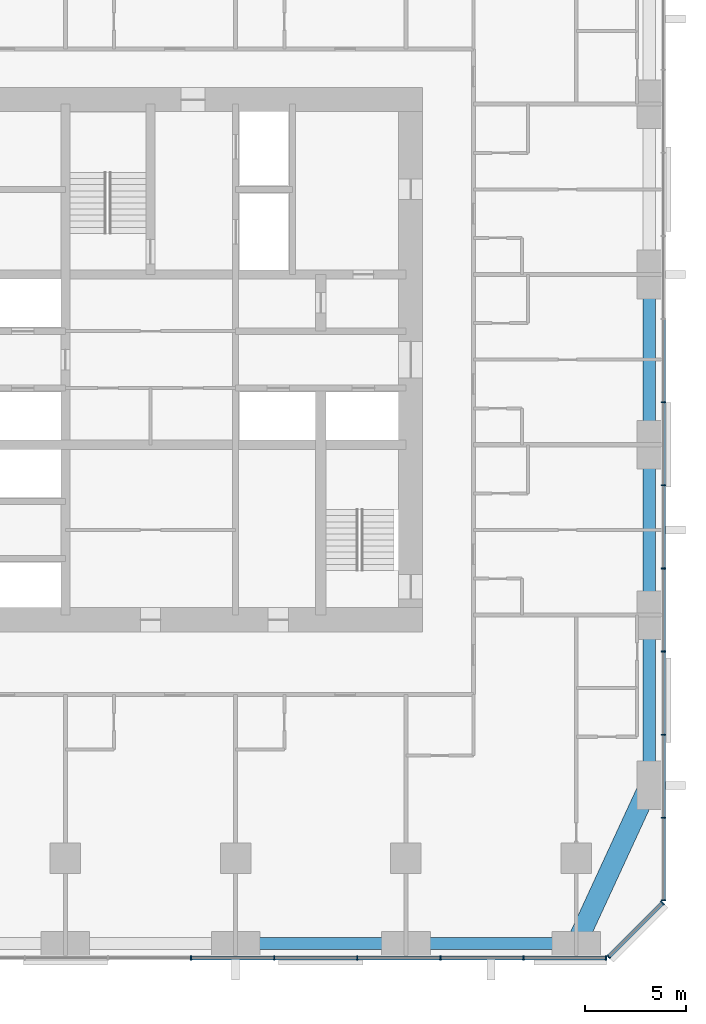
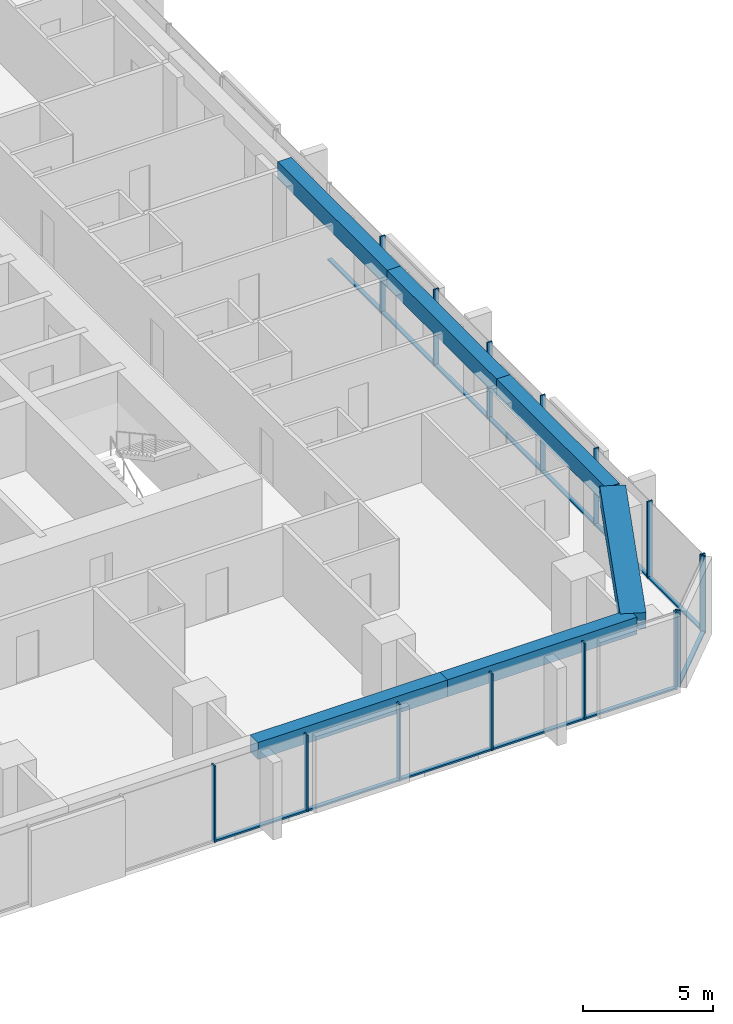
# One storey, part 4 of 13: 28 members, 6 beams, 3 elements without a shape of their own.
"""IFC4 building model written with IfcOpenShell, lengths in metres."""

from ifc_helpers import new_model, si_unit, direction, frame, origin, origin_2d, place, context, subcontext, project, spatial, rectangle, extrude, material, material_profile, profile_set, type_object, element, aggregate, save


model = new_model("IFC4")

# Units and contexts
model_context = context("Model", 3, precision=1e-05, world=origin(), true_north=direction((0.0, 1.0)))
body_context = subcontext(model_context, "Body", "Model", "MODEL_VIEW")
ifc_project = project(units=[si_unit("LENGTHUNIT", "METRE"), si_unit("AREAUNIT", "SQUARE_METRE"), si_unit("VOLUMEUNIT", "CUBIC_METRE"), si_unit("PLANEANGLEUNIT", "RADIAN"), si_unit("MASSUNIT", "GRAM", prefix="KILO")], contexts=[model_context])

# Site, building, storey
site_placement = place(None, origin())
site = spatial("IfcSite", under=ifc_project, at=site_placement, CompositionType="ELEMENT")
building_placement = place(site_placement, origin())
building = spatial("IfcBuilding", under=site, at=building_placement, Name="Dunama Terrace Hotel", CompositionType="ELEMENT")
storey_placement = place(building_placement, frame((0.0, 0.0, 115.199951171875)))
storey = spatial("IfcBuildingStorey", under=building, at=storey_placement, Name="L29", CompositionType="ELEMENT", Elevation=115.199951171875)

# Curtain wall, members
ifc_material_1 = material(Name="Aluminium curtain wall system", Category="aluminium")
curtain_wall_type = type_object("IfcCurtainWallType", Name="Unitised fritted glass wall CW-B", PredefinedType="NOTDEFINED", material=ifc_material_1)
curtain_wall_1_placement = place(storey_placement, origin())
curtain_wall_1 = element("IfcCurtainWall", 1, at=curtain_wall_1_placement, inside=storey, type_object=curtain_wall_type, Name="Unitised fritted glass wall CW-B L29", PredefinedType="NOTDEFINED")
ifc_material_2 = material(Name="Aluminium mullion", Category="aluminium")
ifc_material_profile_1 = material_profile(ifc_material_2, rectangle(XDim=0.06494140625, YDim=0.219970703125, at=origin_2d()), Name="CWB MULLION 65X220")
ifc_profile_set_1 = profile_set([ifc_material_profile_1], Name="Aluminium mullion")
member_type_1 = type_object("IfcMemberType", Name="CWB mullion 65x220", PredefinedType="MULLION", material=ifc_profile_set_1)
member_1_placement = place(storey_placement, frame((31.39990234375, -0.110107421875, 0.0), z_axis=(0.0, 0.0, 1.0), x_axis=(1.0, 0.0, 0.0)))
member_1 = element("IfcMember", 2, at=member_1_placement, type_object=member_type_1, Name="CWB mullion", PredefinedType="MULLION", context=body_context, shape_type="SweptSolid", body=[
    extrude(rectangle(XDim=0.06494140625, YDim=0.219970703125, at=origin_2d()), origin(), (0.0, 0.0, 1.0), 3.60009765625),
])
member_2_placement = place(storey_placement, frame((35.5, -0.110107421875, 0.0), z_axis=(0.0, 0.0, 1.0), x_axis=(1.0, 0.0, 0.0)))
member_2 = element("IfcMember", 3, at=member_2_placement, type_object=member_type_1, Name="CWB mullion", PredefinedType="MULLION", context=body_context, shape_type="SweptSolid", body=[
    extrude(rectangle(XDim=0.06494140625, YDim=0.219970703125, at=origin_2d()), origin(), (0.0, 0.0, 1.0), 3.60009765625),
])
member_3_placement = place(storey_placement, frame((39.60009765625, -0.110107421875, 0.0), z_axis=(0.0, 0.0, 1.0), x_axis=(1.0, 0.0, 0.0)))
member_3 = element("IfcMember", 4, at=member_3_placement, type_object=member_type_1, Name="CWB mullion", PredefinedType="MULLION", context=body_context, shape_type="SweptSolid", body=[
    extrude(rectangle(XDim=0.06494140625, YDim=0.219970703125, at=origin_2d()), origin(), (0.0, 0.0, 1.0), 3.60009765625),
])
member_4_placement = place(storey_placement, frame((43.699951171875, -0.110107421875, 0.0), z_axis=(0.0, 0.0, 1.0), x_axis=(1.0, 0.0, 0.0)))
member_4 = element("IfcMember", 5, at=member_4_placement, type_object=member_type_1, Name="CWB mullion", PredefinedType="MULLION", context=body_context, shape_type="SweptSolid", body=[
    extrude(rectangle(XDim=0.06494140625, YDim=0.219970703125, at=origin_2d()), origin(), (0.0, 0.0, 1.0), 3.60009765625),
])
member_5_placement = place(storey_placement, frame((47.800048828125, -0.110107421875, 0.0), z_axis=(0.0, 0.0, 1.0), x_axis=(1.0, 0.0, 0.0)))
member_5 = element("IfcMember", 6, at=member_5_placement, type_object=member_type_1, Name="CWB mullion", PredefinedType="MULLION", context=body_context, shape_type="SweptSolid", body=[
    extrude(rectangle(XDim=0.06494140625, YDim=0.219970703125, at=origin_2d()), origin(), (0.0, 0.0, 1.0), 3.60009765625),
])
member_6_placement = place(storey_placement, frame((51.866943359375, -0.110107421875, 0.0), z_axis=(0.0, 0.0, 1.0), x_axis=(1.0, 0.0, 0.0)))
member_6 = element("IfcMember", 7, at=member_6_placement, type_object=member_type_1, Name="CWB mullion", PredefinedType="MULLION", context=body_context, shape_type="SweptSolid", body=[
    extrude(rectangle(XDim=0.06494140625, YDim=0.219970703125, at=origin_2d()), origin(), (0.0, 0.0, 1.0), 3.60009765625),
])

curtain_wall_2_placement = place(storey_placement, origin())
curtain_wall_2 = element("IfcCurtainWall", 8, at=curtain_wall_2_placement, inside=storey, type_object=curtain_wall_type, Name="Unitised fritted glass wall CW-B L29", PredefinedType="NOTDEFINED")
member_7_placement = place(storey_placement, frame((52.0009765625, -0.054931640625, 0.0), z_axis=(0.0, 0.0, 1.0), x_axis=(0.707106781187, 0.707106781187, 0.0)))
member_7 = element("IfcMember", 9, at=member_7_placement, type_object=member_type_1, Name="CWB mullion", PredefinedType="MULLION", context=body_context, shape_type="SweptSolid", body=[
    extrude(rectangle(XDim=0.06494140625, YDim=0.219970703125, at=origin_2d()), origin(), (0.0, 0.0, 1.0), 3.60009765625),
])
member_8_placement = place(storey_placement, frame((54.655029296875, 2.59912109375, 0.0), z_axis=(0.0, 0.0, 1.0), x_axis=(0.707106781187, 0.707106781187, 0.0)))
member_8 = element("IfcMember", 10, at=member_8_placement, type_object=member_type_1, Name="CWB mullion", PredefinedType="MULLION", context=body_context, shape_type="SweptSolid", body=[
    extrude(rectangle(XDim=0.06494140625, YDim=0.219970703125, at=origin_2d()), origin(), (0.0, 0.0, 1.0), 3.60009765625),
])

curtain_wall_3_placement = place(storey_placement, origin())
curtain_wall_3 = element("IfcCurtainWall", 11, at=curtain_wall_3_placement, inside=storey, type_object=curtain_wall_type, Name="Unitised fritted glass wall CW-B L29", PredefinedType="NOTDEFINED")
member_9_placement = place(storey_placement, frame((54.7099609375, 2.73291015625, 0.0), z_axis=(0.0, 0.0, 1.0), x_axis=(0.0, 1.0, 0.0)))
member_9 = element("IfcMember", 12, at=member_9_placement, type_object=member_type_1, Name="CWB mullion", PredefinedType="MULLION", context=body_context, shape_type="SweptSolid", body=[
    extrude(rectangle(XDim=0.06494140625, YDim=0.219970703125, at=origin_2d()), origin(), (0.0, 0.0, 1.0), 3.60009765625),
])
member_10_placement = place(storey_placement, frame((54.7099609375, 6.800048828125, 0.0), z_axis=(0.0, 0.0, 1.0), x_axis=(0.0, 1.0, 0.0)))
member_10 = element("IfcMember", 13, at=member_10_placement, type_object=member_type_1, Name="CWB mullion", PredefinedType="MULLION", context=body_context, shape_type="SweptSolid", body=[
    extrude(rectangle(XDim=0.06494140625, YDim=0.219970703125, at=origin_2d()), origin(), (0.0, 0.0, 1.0), 3.60009765625),
])
member_11_placement = place(storey_placement, frame((54.7099609375, 10.89990234375, 0.0), z_axis=(0.0, 0.0, 1.0), x_axis=(0.0, 1.0, 0.0)))
member_11 = element("IfcMember", 14, at=member_11_placement, type_object=member_type_1, Name="CWB mullion", PredefinedType="MULLION", context=body_context, shape_type="SweptSolid", body=[
    extrude(rectangle(XDim=0.06494140625, YDim=0.219970703125, at=origin_2d()), origin(), (0.0, 0.0, 1.0), 3.60009765625),
])
member_12_placement = place(storey_placement, frame((54.7099609375, 15.0, 0.0), z_axis=(0.0, 0.0, 1.0), x_axis=(0.0, 1.0, 0.0)))
member_12 = element("IfcMember", 15, at=member_12_placement, type_object=member_type_1, Name="CWB mullion", PredefinedType="MULLION", context=body_context, shape_type="SweptSolid", body=[
    extrude(rectangle(XDim=0.06494140625, YDim=0.219970703125, at=origin_2d()), origin(), (0.0, 0.0, 1.0), 3.60009765625),
])
member_13_placement = place(storey_placement, frame((54.7099609375, 19.10009765625, 0.0), z_axis=(0.0, 0.0, 1.0), x_axis=(0.0, 1.0, 0.0)))
member_13 = element("IfcMember", 16, at=member_13_placement, type_object=member_type_1, Name="CWB mullion", PredefinedType="MULLION", context=body_context, shape_type="SweptSolid", body=[
    extrude(rectangle(XDim=0.06494140625, YDim=0.219970703125, at=origin_2d()), origin(), (0.0, 0.0, 1.0), 3.60009765625),
])
member_14_placement = place(storey_placement, frame((54.7099609375, 23.199951171875, 0.0), z_axis=(0.0, 0.0, 1.0), x_axis=(0.0, 1.0, 0.0)))
member_14 = element("IfcMember", 17, at=member_14_placement, type_object=member_type_1, Name="CWB mullion", PredefinedType="MULLION", context=body_context, shape_type="SweptSolid", body=[
    extrude(rectangle(XDim=0.06494140625, YDim=0.219970703125, at=origin_2d()), origin(), (0.0, 0.0, 1.0), 3.60009765625),
])
member_15_placement = place(storey_placement, frame((54.7099609375, 27.300048828125, 0.0), z_axis=(0.0, 0.0, 1.0), x_axis=(0.0, 1.0, 0.0)))
member_15 = element("IfcMember", 18, at=member_15_placement, type_object=member_type_1, Name="CWB mullion", PredefinedType="MULLION", context=body_context, shape_type="SweptSolid", body=[
    extrude(rectangle(XDim=0.06494140625, YDim=0.219970703125, at=origin_2d()), origin(), (0.0, 0.0, 1.0), 3.60009765625),
])

# Member
ifc_material_3 = material(Name="Aluminium transom", Category="aluminium")
ifc_material_profile_2 = material_profile(ifc_material_3, rectangle(XDim=0.179931640625, YDim=0.080078125, at=origin_2d()), Name="CWB TRANSOM 180X80")
ifc_profile_set_2 = profile_set([ifc_material_profile_2], Name="Aluminium transom")
member_type_2 = type_object("IfcMemberType", Name="CWB transom 180x80", PredefinedType="USERDEFINED", material=ifc_profile_set_2)
member_16_placement = place(storey_placement, frame((31.431884765625, -0.110107421875, 0.0400390625), z_axis=(1.0, 0.0, 0.0), x_axis=(0.0, 1.0, 0.0)))
member_16 = element("IfcMember", 19, at=member_16_placement, type_object=member_type_2, Name="CWB transom", ObjectType="TRANSOM", PredefinedType="USERDEFINED", context=body_context, shape_type="SweptSolid", body=[
    extrude(rectangle(XDim=0.179931640625, YDim=0.080078125, at=origin_2d()), origin(), (0.0, 0.0, 1.0), 4.0361328125),
])

member_17_placement = place(storey_placement, frame((35.531982421875, -0.110107421875, 0.0400390625), z_axis=(1.0, 0.0, 0.0), x_axis=(0.0, 1.0, 0.0)))
member_17 = element("IfcMember", 20, at=member_17_placement, type_object=member_type_2, Name="CWB transom", ObjectType="TRANSOM", PredefinedType="USERDEFINED", context=body_context, shape_type="SweptSolid", body=[
    extrude(rectangle(XDim=0.179931640625, YDim=0.080078125, at=origin_2d()), origin(), (0.0, 0.0, 1.0), 4.0361328125),
])

member_18_placement = place(storey_placement, frame((39.633056640625, -0.110107421875, 0.0400390625), z_axis=(1.0, 0.0, 0.0), x_axis=(0.0, 1.0, 0.0)))
member_18 = element("IfcMember", 21, at=member_18_placement, type_object=member_type_2, Name="CWB transom", ObjectType="TRANSOM", PredefinedType="USERDEFINED", context=body_context, shape_type="SweptSolid", body=[
    extrude(rectangle(XDim=0.179931640625, YDim=0.080078125, at=origin_2d()), origin(), (0.0, 0.0, 1.0), 4.034912109375),
])

member_19_placement = place(storey_placement, frame((43.73291015625, -0.110107421875, 0.0400390625), z_axis=(1.0, 0.0, 0.0), x_axis=(0.0, 1.0, 0.0)))
member_19 = element("IfcMember", 22, at=member_19_placement, type_object=member_type_2, Name="CWB transom", ObjectType="TRANSOM", PredefinedType="USERDEFINED", context=body_context, shape_type="SweptSolid", body=[
    extrude(rectangle(XDim=0.179931640625, YDim=0.080078125, at=origin_2d()), origin(), (0.0, 0.0, 1.0), 4.0341796875),
])

member_20_placement = place(storey_placement, frame((47.83203125, -0.110107421875, 0.0400390625), z_axis=(1.0, 0.0, 0.0), x_axis=(0.0, 1.0, 0.0)))
member_20 = element("IfcMember", 23, at=member_20_placement, type_object=member_type_2, Name="CWB transom", ObjectType="TRANSOM", PredefinedType="USERDEFINED", context=body_context, shape_type="SweptSolid", body=[
    extrude(rectangle(XDim=0.179931640625, YDim=0.080078125, at=origin_2d()), origin(), (0.0, 0.0, 1.0), 4.0029296875),
])

aggregate(curtain_wall_1, [member_1, member_2, member_3, member_4, member_5, member_6, member_16, member_17, member_18, member_19, member_20])

member_21_placement = place(storey_placement, frame((52.02392578125, -0.031982421875, 0.0400390625), z_axis=(0.707139876915, 0.707073683909, 0.0), x_axis=(-0.707073683909, 0.707139876915, 0.0)))
member_21 = element("IfcMember", 24, at=member_21_placement, type_object=member_type_2, Name="CWB transom", ObjectType="TRANSOM", PredefinedType="USERDEFINED", context=body_context, shape_type="SweptSolid", body=[
    extrude(rectangle(XDim=0.179931640625, YDim=0.080078125, at=origin_2d()), origin(), (0.0, 0.0, 1.0), 3.688232421875),
])

aggregate(curtain_wall_2, [member_7, member_8, member_21])

member_22_placement = place(storey_placement, frame((54.7099609375, 2.764892578125, 0.0400390625), z_axis=(0.0, 1.0, 0.0), x_axis=(-1.0, 0.0, 0.0)))
member_22 = element("IfcMember", 25, at=member_22_placement, type_object=member_type_2, Name="CWB transom", ObjectType="TRANSOM", PredefinedType="USERDEFINED", context=body_context, shape_type="SweptSolid", body=[
    extrude(rectangle(XDim=0.179931640625, YDim=0.080078125, at=origin_2d()), origin(), (0.0, 0.0, 1.0), 4.003173828125),
])

member_23_placement = place(storey_placement, frame((54.7099609375, 6.83203125, 0.0400390625), z_axis=(0.0, 1.0, 0.0), x_axis=(-1.0, 0.0, 0.0)))
member_23 = element("IfcMember", 26, at=member_23_placement, type_object=member_type_2, Name="CWB transom", ObjectType="TRANSOM", PredefinedType="USERDEFINED", context=body_context, shape_type="SweptSolid", body=[
    extrude(rectangle(XDim=0.179931640625, YDim=0.080078125, at=origin_2d()), origin(), (0.0, 0.0, 1.0), 4.034912109375),
])

member_24_placement = place(storey_placement, frame((54.7099609375, 10.93310546875, 0.0400390625), z_axis=(0.0, 1.0, 0.0), x_axis=(-1.0, 0.0, 0.0)))
member_24 = element("IfcMember", 27, at=member_24_placement, type_object=member_type_2, Name="CWB transom", ObjectType="TRANSOM", PredefinedType="USERDEFINED", context=body_context, shape_type="SweptSolid", body=[
    extrude(rectangle(XDim=0.179931640625, YDim=0.080078125, at=origin_2d()), origin(), (0.0, 0.0, 1.0), 4.033935546875),
])

member_25_placement = place(storey_placement, frame((54.7099609375, 15.031982421875, 0.0400390625), z_axis=(0.0, 1.0, 0.0), x_axis=(-1.0, 0.0, 0.0)))
member_25 = element("IfcMember", 28, at=member_25_placement, type_object=member_type_2, Name="CWB transom", ObjectType="TRANSOM", PredefinedType="USERDEFINED", context=body_context, shape_type="SweptSolid", body=[
    extrude(rectangle(XDim=0.179931640625, YDim=0.080078125, at=origin_2d()), origin(), (0.0, 0.0, 1.0), 4.034912109375),
])

member_26_placement = place(storey_placement, frame((54.7099609375, 19.132080078125, 0.0400390625), z_axis=(0.0, 1.0, 0.0), x_axis=(-1.0, 0.0, 0.0)))
member_26 = element("IfcMember", 29, at=member_26_placement, type_object=member_type_2, Name="CWB transom", ObjectType="TRANSOM", PredefinedType="USERDEFINED", context=body_context, shape_type="SweptSolid", body=[
    extrude(rectangle(XDim=0.179931640625, YDim=0.080078125, at=origin_2d()), origin(), (0.0, 0.0, 1.0), 4.035888671875),
])

member_27_placement = place(storey_placement, frame((54.7099609375, 23.23193359375, 0.0400390625), z_axis=(0.0, 1.0, 0.0), x_axis=(-1.0, 0.0, 0.0)))
member_27 = element("IfcMember", 30, at=member_27_placement, type_object=member_type_2, Name="CWB transom", ObjectType="TRANSOM", PredefinedType="USERDEFINED", context=body_context, shape_type="SweptSolid", body=[
    extrude(rectangle(XDim=0.179931640625, YDim=0.080078125, at=origin_2d()), origin(), (0.0, 0.0, 1.0), 4.03515625),
])

member_28_placement = place(storey_placement, frame((54.7099609375, 27.33203125, 0.0400390625), z_axis=(0.0, 1.0, 0.0), x_axis=(-1.0, 0.0, 0.0)))
member_28 = element("IfcMember", 31, at=member_28_placement, type_object=member_type_2, Name="CWB transom", ObjectType="TRANSOM", PredefinedType="USERDEFINED", context=body_context, shape_type="SweptSolid", body=[
    extrude(rectangle(XDim=0.179931640625, YDim=0.080078125, at=origin_2d()), origin(), (0.0, 0.0, 1.0), 4.034912109375),
])

aggregate(curtain_wall_3, [member_9, member_10, member_11, member_12, member_13, member_14, member_15, member_22, member_23, member_24, member_25, member_26, member_27, member_28])

# Beams
ifc_material_4 = material(Name="Concrete C50/60", Category="concrete")
ifc_material_profile_3 = material_profile(ifc_material_4, rectangle(XDim=1.0, YDim=0.75, at=origin_2d()), Name="RC 1000x750")
ifc_profile_set_3 = profile_set([ifc_material_profile_3], Name="Concrete C50/60")
beam_type_1 = type_object("IfcBeamType", Name="Edge beam RC 1000x750", PredefinedType="SPANDREL", material=ifc_profile_set_3)
beam_1_placement = place(storey_placement, frame((50.39990234375, 0.60009765625, 3.22509765625), z_axis=(0.419076199598, 0.907951066374, 0.0), x_axis=(-0.907951066374, 0.419076199598, 0.0)))
element("IfcBeam", 32, at=beam_1_placement, inside=storey, type_object=beam_type_1, Name="Corner edge beam under L30", PredefinedType="SPANDREL", context=body_context, shape_type="SweptSolid", body=[
    extrude(rectangle(XDim=1.0, YDim=0.75, at=origin_2d()), origin(), (0.0, 0.0, 1.0), 8.590576171875),
])
ifc_material_5 = material(Name="Concrete C40/50", Category="concrete")
ifc_material_profile_4 = material_profile(ifc_material_5, rectangle(XDim=0.60009765625, YDim=0.800048828125, at=origin_2d()), Name="RC 600x800")
ifc_profile_set_4 = profile_set([ifc_material_profile_4], Name="Concrete C40/50")
beam_type_2 = type_object("IfcBeamType", Name="Edge beam RC 600x800", PredefinedType="SPANDREL", material=ifc_profile_set_4)
beam_2_placement = place(storey_placement, frame((54.0, 8.39990234375, 3.199951171875), z_axis=(0.0, 1.0, 0.0), x_axis=(-1.0, 0.0, 0.0)))
element("IfcBeam", 33, at=beam_2_placement, inside=storey, type_object=beam_type_2, Name="Edge beam under L30", PredefinedType="SPANDREL", context=body_context, shape_type="SweptSolid", body=[
    extrude(rectangle(XDim=0.60009765625, YDim=0.800048828125, at=origin_2d()), origin(), (0.0, 0.0, 1.0), 8.400146484375),
])
beam_3_placement = place(storey_placement, frame((54.0, 16.800048828125, 3.199951171875), z_axis=(0.0, 1.0, 0.0), x_axis=(-1.0, 0.0, 0.0)))
element("IfcBeam", 34, at=beam_3_placement, inside=storey, type_object=beam_type_2, Name="Edge beam under L30", PredefinedType="SPANDREL", context=body_context, shape_type="SweptSolid", body=[
    extrude(rectangle(XDim=0.60009765625, YDim=0.800048828125, at=origin_2d()), origin(), (0.0, 0.0, 1.0), 8.39990234375),
])
beam_4_placement = place(storey_placement, frame((54.0, 25.199951171875, 3.199951171875), z_axis=(0.0, 1.0, 0.0), x_axis=(-1.0, 0.0, 0.0)))
element("IfcBeam", 35, at=beam_4_placement, inside=storey, type_object=beam_type_2, Name="Edge beam under L30", PredefinedType="SPANDREL", context=body_context, shape_type="SweptSolid", body=[
    extrude(rectangle(XDim=0.60009765625, YDim=0.800048828125, at=origin_2d()), origin(), (0.0, 0.0, 1.0), 8.400146484375),
])
for number, where, z_axis, x_axis, name in (
    (36, (33.60009765625, 0.60009765625, 3.199951171875), (1.0, 0.0, 0.0), (0.0, 1.0, 0.0), "Edge beam under L30"),
    (37, (42.0, 0.60009765625, 3.199951171875), (1.0, 0.0, 0.0), (0.0, 1.0, 0.0), "Edge beam under L30"),
):
    element("IfcBeam", number, at=place(storey_placement, frame(where, z_axis=z_axis, x_axis=x_axis)), inside=storey, type_object=beam_type_2, Name=name, PredefinedType="SPANDREL", context=body_context, shape_type="SweptSolid", body=[
        extrude(rectangle(XDim=0.60009765625, YDim=0.800048828125, at=origin_2d()), origin(), (0.0, 0.0, 1.0), 8.39990234375),
    ])

save(model, "model.ifc")
